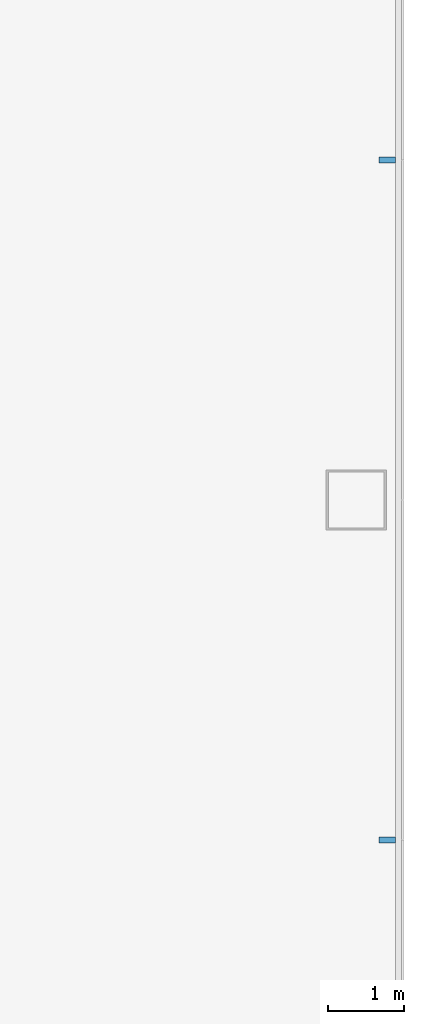
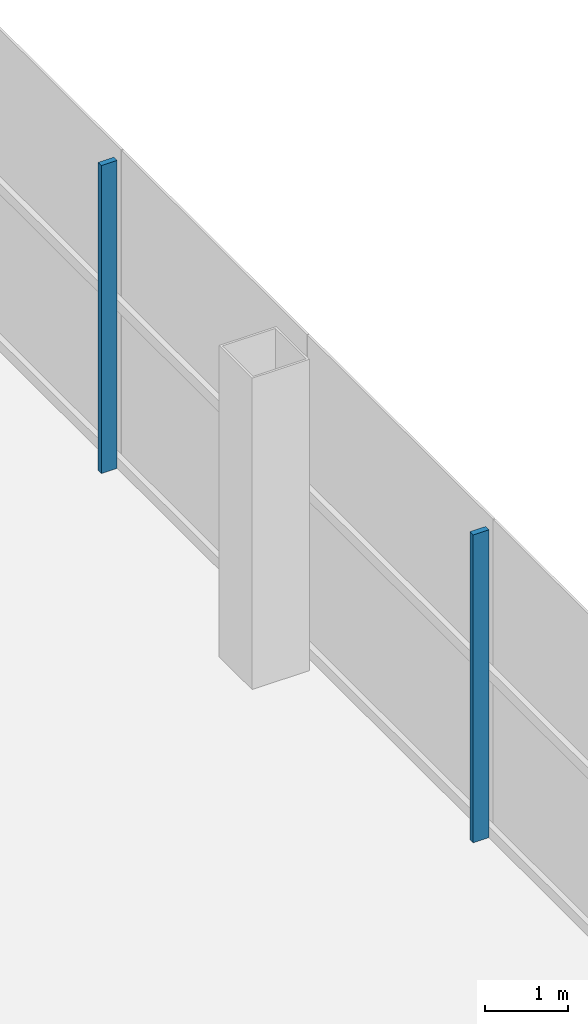
# One storey, part 15 of 33: 2 members, 1 element without a shape of its own.
"""IFC4 building model written with IfcOpenShell, lengths in metres."""

from ifc_helpers import new_model, si_unit, direction, frame, origin, origin_2d, place, context, subcontext, project, spatial, rectangle, extrude, material, layer, layer_set, material_profile, profile_set, type_object, element, aggregate, save


model = new_model("IFC4")

# Units and contexts
model_context = context("Model", 3, precision=1e-05, world=origin(), true_north=direction((0.0, 1.0)))
body_context = subcontext(model_context, "Body", "Model", "MODEL_VIEW")
ifc_project = project(units=[si_unit("LENGTHUNIT", "METRE"), si_unit("AREAUNIT", "SQUARE_METRE"), si_unit("VOLUMEUNIT", "CUBIC_METRE"), si_unit("PLANEANGLEUNIT", "RADIAN"), si_unit("MASSUNIT", "GRAM", prefix="KILO")], contexts=[model_context])

# Site, building, storey
site_placement = place(None, origin())
site = spatial("IfcSite", under=ifc_project, at=site_placement, CompositionType="ELEMENT")
building_placement = place(site_placement, origin())
building = spatial("IfcBuilding", under=site, at=building_placement, Name="Shamsa Quay Exchange Towers", CompositionType="ELEMENT")
storey_placement = place(building_placement, frame((0.0, 0.0, 18.5)))
storey = spatial("IfcBuildingStorey", under=building, at=storey_placement, Name="L03", CompositionType="ELEMENT", Elevation=18.5)

# Curtain wall, members
ifc_material = material(Name="Aluminium EN AW-6063 T6, black anodised", Category="aluminium")
ifc_layer = layer(ifc_material, 0.33203125)
ifc_layer_set = layer_set([ifc_layer], Name="CW-3 PODIUM SHOPFRONT GLAZING")
curtain_wall_type = type_object("IfcCurtainWallType", Name="CW-3 PODIUM SHOPFRONT GLAZING", PredefinedType="NOTDEFINED", material=ifc_layer_set)
curtain_wall_placement = place(storey_placement, origin())
curtain_wall = element("IfcCurtainWall", 1, at=curtain_wall_placement, inside=storey, type_object=curtain_wall_type, Name="CW3 PODIUM-L03-F00", PredefinedType="NOTDEFINED")
ifc_material_profile = material_profile(ifc_material, rectangle(XDim=0.219970703125, YDim=0.080078125, at=origin_2d()), Name="MU80x220")
ifc_profile_set = profile_set([ifc_material_profile], Name="Aluminium EN AW-6063 T6, black anodised")
member_type = type_object("IfcMemberType", Name="CW3 MULLION 80x220", PredefinedType="MULLION", material=ifc_profile_set)
member_1_placement = place(storey_placement, frame((62.81005859375, -24.75, 0.0), z_axis=(0.0, 0.0, 1.0), x_axis=(-1.0, 0.0, 0.0)))
member_1 = element("IfcMember", 2, at=member_1_placement, type_object=member_type, Name="CW3 mullion", PredefinedType="MULLION", context=body_context, shape_type="SweptSolid", body=[
    extrude(rectangle(XDim=0.219970703125, YDim=0.080078125, at=origin_2d()), origin(), (0.0, 0.0, 1.0), 4.550048828125),
])
member_2_placement = place(storey_placement, frame((62.81005859375, -15.75, 0.0), z_axis=(0.0, 0.0, 1.0), x_axis=(-1.0, 0.0, 0.0)))
member_2 = element("IfcMember", 3, at=member_2_placement, type_object=member_type, Name="CW3 mullion", PredefinedType="MULLION", context=body_context, shape_type="SweptSolid", body=[
    extrude(rectangle(XDim=0.219970703125, YDim=0.080078125, at=origin_2d()), origin(), (0.0, 0.0, 1.0), 4.550048828125),
])
aggregate(curtain_wall, [member_1, member_2])

save(model, "model.ifc")
